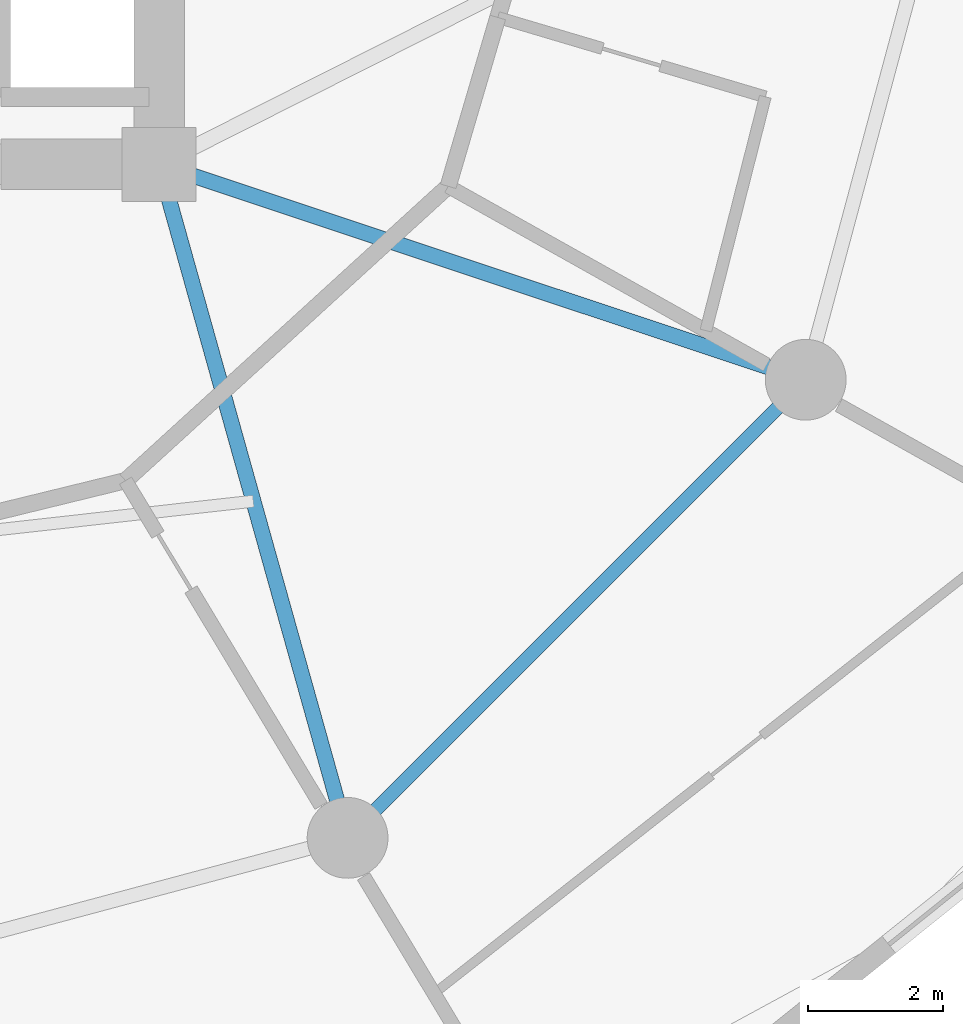
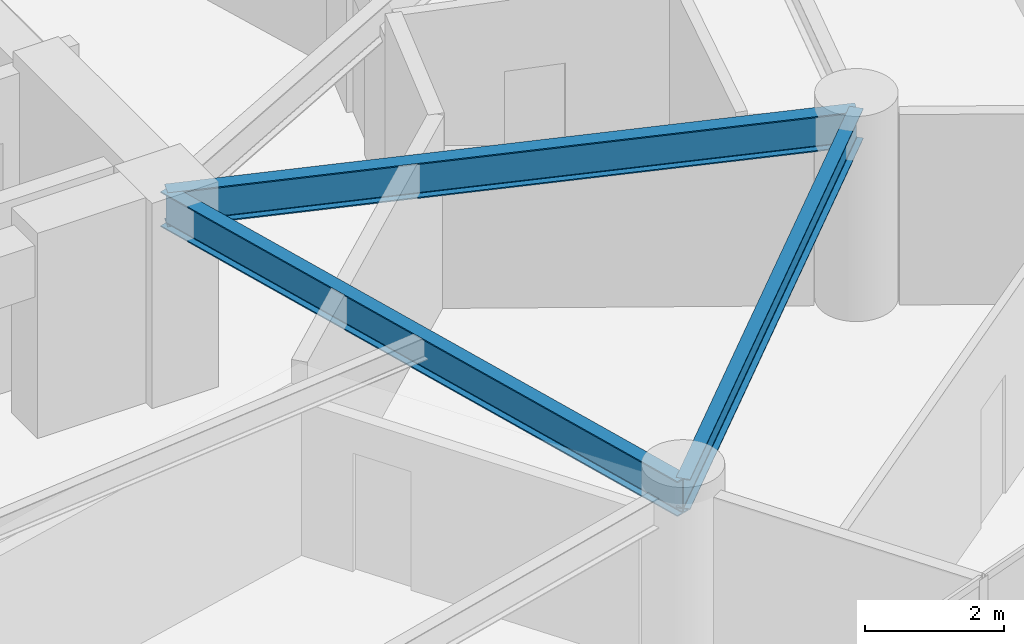
# One storey, part 11 of 26: 3 beams.
"""IFC4 building model written with IfcOpenShell, lengths in metres."""

from ifc_helpers import new_model, si_unit, direction, frame, origin, origin_2d, place, context, subcontext, project, spatial, i_section, extrude, material, material_profile, profile_set, type_object, element, save


model = new_model("IFC4")

# Units and contexts
model_context = context("Model", 3, precision=1e-05, world=origin(), true_north=direction((0.0, 1.0)))
body_context = subcontext(model_context, "Body", "Model", "MODEL_VIEW")
ifc_project = project(units=[si_unit("LENGTHUNIT", "METRE"), si_unit("AREAUNIT", "SQUARE_METRE"), si_unit("VOLUMEUNIT", "CUBIC_METRE"), si_unit("PLANEANGLEUNIT", "RADIAN"), si_unit("MASSUNIT", "GRAM", prefix="KILO")], contexts=[model_context])

# Site, building, storey
site_placement = place(None, origin())
site = spatial("IfcSite", under=ifc_project, at=site_placement, CompositionType="ELEMENT")
building_placement = place(site_placement, origin())
building = spatial("IfcBuilding", under=site, at=building_placement, Name="Solvirekh Grand Hotel", CompositionType="ELEMENT")
storey_placement = place(building_placement, frame((0.0, 0.0, 71.60009765625)))
storey = spatial("IfcBuildingStorey", under=building, at=storey_placement, Name="L17", CompositionType="ELEMENT", Elevation=71.60009765625)

# Beams
ifc_material = material(Name="Steel S355", Category="steel")
ifc_material_profile_1 = material_profile(ifc_material, i_section(OverallWidth=0.22802734375, OverallDepth=0.616943359375, WebThickness=0.012939453125, FlangeThickness=0.02001953125, FilletRadius=0.014892578125, at=origin_2d()), Name="W610X140")
ifc_profile_set_1 = profile_set([ifc_material_profile_1], Name="Steel S355")
beam_type_1 = type_object("IfcBeamType", Name="Beam_Radial_W610", PredefinedType="BEAM", material=ifc_profile_set_1)
beam_1_placement = place(storey_placement, frame((6.5, -6.10009765625, 3.031982421875), z_axis=(0.269439084681, -0.963017434757, 0.0), x_axis=(0.963017434757, 0.269439084681, 0.0)))
element("IfcBeam", 1, at=beam_1_placement, inside=storey, type_object=beam_type_1, Name="L17 radial floor beam R11", PredefinedType="BEAM", context=body_context, shape_type="SweptSolid", body=[
    extrude(i_section(OverallWidth=0.22802734375, OverallDepth=0.616943359375, WebThickness=0.012939453125, FlangeThickness=0.02001953125, FilletRadius=0.014892578125, at=origin_2d()), origin(), (0.0, 0.0, 1.0), 10.39208984375),
])
beam_2_placement = place(storey_placement, frame((6.5, -6.10009765625, 3.031982421875), z_axis=(0.948762825819, -0.315989082635, 0.0), x_axis=(0.315989082635, 0.948762825819, 0.0)))
element("IfcBeam", 2, at=beam_2_placement, inside=storey, type_object=beam_type_1, Name="L17 radial floor beam R12", PredefinedType="BEAM", context=body_context, shape_type="SweptSolid", body=[
    extrude(i_section(OverallWidth=0.22802734375, OverallDepth=0.616943359375, WebThickness=0.012939453125, FlangeThickness=0.02001953125, FilletRadius=0.014892578125, at=origin_2d()), origin(), (0.0, 0.0, 1.0), 10.126708984375),
])
ifc_material_profile_2 = material_profile(ifc_material, i_section(OverallWidth=0.208984375, OverallDepth=0.532958984375, WebThickness=0.010009765625, FlangeThickness=0.014892578125, FilletRadius=0.013916015625, at=origin_2d()), Name="W530X92")
ifc_profile_set_2 = profile_set([ifc_material_profile_2], Name="Steel S355")
beam_type_2 = type_object("IfcBeamType", Name="Spandrel_Ring_W530", PredefinedType="SPANDREL", material=ifc_profile_set_2)
beam_3_placement = place(storey_placement, frame((9.300048828125, -16.10791015625, 3.073974609375), z_axis=(0.707106781187, 0.707106781187, 0.0), x_axis=(-0.707106781187, 0.707106781187, 0.0)))
element("IfcBeam", 3, at=beam_3_placement, inside=storey, type_object=beam_type_2, Name="L17 perimeter spandrel beam 11", PredefinedType="SPANDREL", context=body_context, shape_type="SweptSolid", body=[
    extrude(i_section(OverallWidth=0.208984375, OverallDepth=0.532958984375, WebThickness=0.010009765625, FlangeThickness=0.014892578125, FilletRadius=0.013916015625, at=origin_2d()), origin(), (0.0, 0.0, 1.0), 9.627685546875),
])

save(model, "model.ifc")
